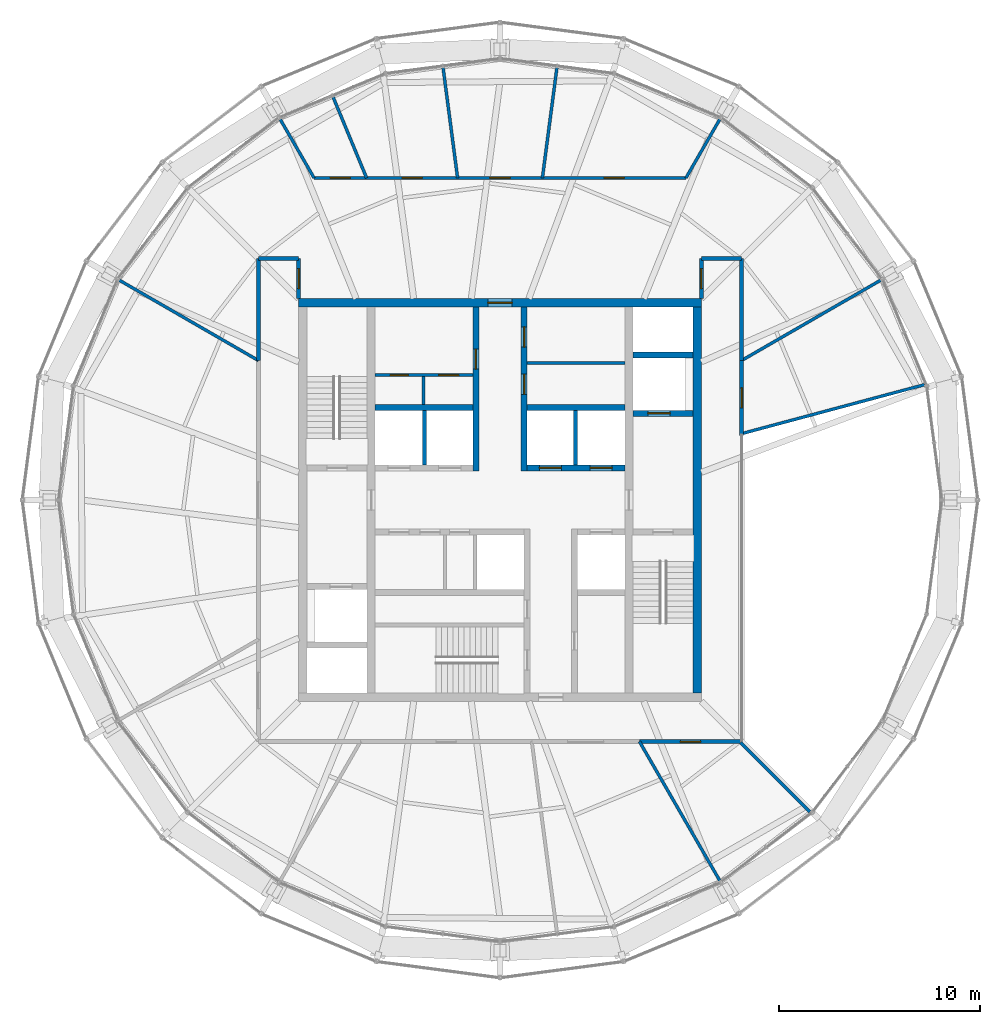
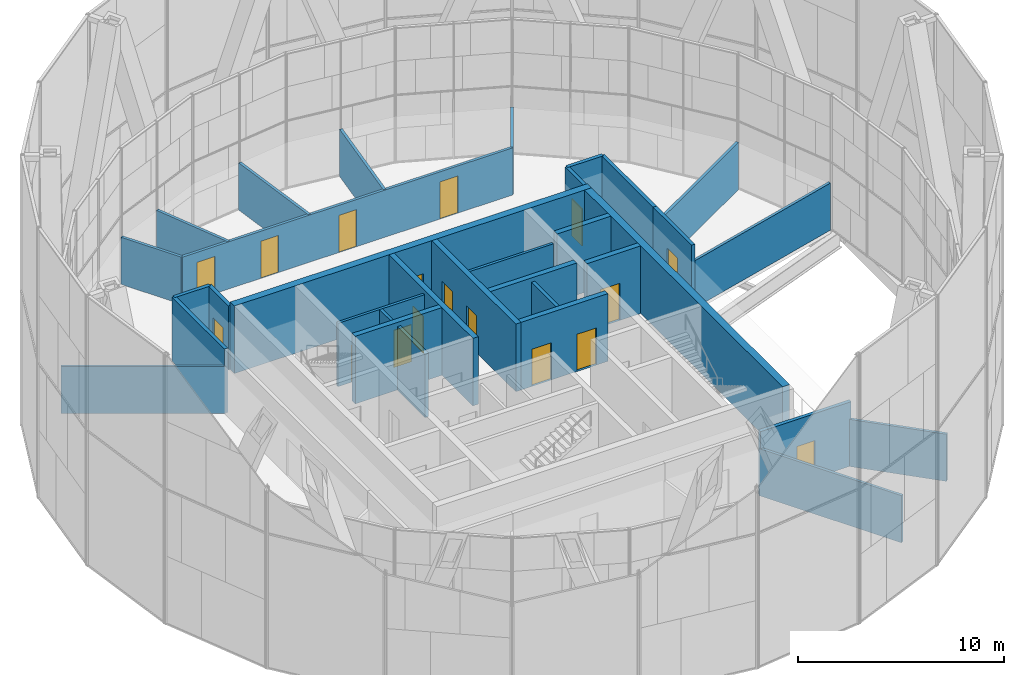
# One storey, part 20 of 22: 33 walls, 17 doors, 17 openings.
"""IFC4 building model written with IfcOpenShell, lengths in metres."""

from ifc_helpers import new_model, si_unit, direction, frame, frame_2d, origin, place, context, subcontext, project, spatial, rectangle, extrude, material, layer, layer_set, type_object, element, fill, save


model = new_model("IFC4")

# Units and contexts
model_context = context("Model", 3, precision=1e-05, world=origin(), true_north=direction((0.0, 1.0)))
body_context = subcontext(model_context, "Body", "Model", "MODEL_VIEW")
ifc_project = project(units=[si_unit("LENGTHUNIT", "METRE"), si_unit("AREAUNIT", "SQUARE_METRE"), si_unit("VOLUMEUNIT", "CUBIC_METRE"), si_unit("PLANEANGLEUNIT", "RADIAN"), si_unit("MASSUNIT", "GRAM", prefix="KILO")], contexts=[model_context])

# Site, building, storey
site_placement = place(None, origin())
site = spatial("IfcSite", under=ifc_project, at=site_placement, CompositionType="ELEMENT")
building_placement = place(site_placement, origin())
building = spatial("IfcBuilding", under=site, at=building_placement, Name="Golbaran Civic Tower", CompositionType="ELEMENT")
storey_placement = place(building_placement, frame((0.0, 0.0, 264.0)))
storey = spatial("IfcBuildingStorey", under=building, at=storey_placement, Name="L64", CompositionType="ELEMENT", Elevation=264.0)

# Wall
ifc_material_1 = material(Name="Concrete block", Category="concrete")
ifc_layer_1 = layer(ifc_material_1, 0.14990234375, Name="Concrete block")
ifc_layer_set_1 = layer_set([ifc_layer_1], Name="Concrete block")
wall_type_1 = type_object("IfcWallType", Name="BLOCKWORK PARTITION 150", PredefinedType="PARTITIONING", material=ifc_layer_set_1)
wall_1_placement = place(storey_placement, frame((1.35009765625, 6.800048828125, 0.0), z_axis=(0.0, 0.0, 1.0), x_axis=(1.0, 0.0, 0.0)))
element("IfcWall", 1, at=wall_1_placement, inside=storey, type_object=wall_type_1, Name="Toilet block partition TN1 L64", PredefinedType="PARTITIONING", context=body_context, shape_type="SweptSolid", body=[
    extrude(rectangle(XDim=4.849853515625, YDim=0.14990234375, at=frame_2d((2.4248046875, 0.0))), origin(), (0.0, 0.0, 1.0), 3.75),
])

# Wall, opening, door
ifc_material_2 = material(Name="Concrete C50/60", Category="concrete")
ifc_layer_2 = layer(ifc_material_2, 0.39990234375, Name="Concrete C50/60")
ifc_layer_set_2 = layer_set([ifc_layer_2], Name="Concrete C50/60")
wall_type_2 = type_object("IfcWallType", Name="CORE WALL CONCRETE 400", PredefinedType="SOLIDWALL", material=ifc_layer_set_2)
wall_2_placement = place(storey_placement, frame((-10.0, 9.800048828125, 0.0), z_axis=(0.0, 0.0, 1.0), x_axis=(1.0, 0.0, 0.0)))
wall_2 = element("IfcWall", 2, at=wall_2_placement, inside=storey, type_object=wall_type_2, Name="Core wall CN L64", PredefinedType="SOLIDWALL", context=body_context, shape_type="SweptSolid", body=[
    extrude(rectangle(XDim=20.0, YDim=0.39990234375, at=frame_2d((10.0, 0.0))), origin(), (0.0, 0.0, 1.0), 4.0),
])
opening_1_placement = place(wall_2_placement, frame((9.39990234375, 0.0, 0.0)))
opening_1 = element("IfcOpeningElement", 3, at=opening_1_placement, cuts=wall_2, Name="Opening L64.CN", PredefinedType="OPENING", context=body_context, shape_type="SweptSolid", body=[
    extrude(rectangle(XDim=1.199951171875, YDim=2.199951171875, at=frame_2d((0.60009765625, 1.10009765625))), frame((0.0, 0.2099609375, 0.0), z_axis=(0.0, -1.0, 0.0), x_axis=(1.0, 0.0, 0.0)), (0.0, 0.0, 1.0), 0.419921875),
])
ifc_material_3 = material(Name="Timber door set in steel frame", Category="steel")
door_type_1 = type_object("IfcDoorType", Name="CORE DOOR 1200x2200", OperationType="DOUBLE_DOOR_SINGLE_SWING", PredefinedType="DOOR", material=ifc_material_3)
door_1_placement = place(opening_1_placement, origin())
door_1 = element("IfcDoor", 4, at=door_1_placement, inside=storey, type_object=door_type_1, Name="Core door north", OperationType="DOUBLE_DOOR_SINGLE_SWING", OverallHeight=2.199951171875, OverallWidth=1.199951171875, PredefinedType="DOOR", context=body_context, shape_type="SweptSolid", body=[
    extrude(rectangle(XDim=1.199951171875, YDim=2.199951171875, at=frame_2d((0.60009765625, 1.10009765625))), frame((0.0, 0.02490234375, 0.0), z_axis=(0.0, -1.0, 0.0), x_axis=(1.0, 0.0, 0.0)), (0.0, 0.0, 1.0), 0.050048828125),
])
fill(opening_1, door_1)

# Wall
wall_3_placement = place(storey_placement, frame((9.800048828125, -9.60009765625, 0.0), z_axis=(0.0, 0.0, 1.0), x_axis=(0.0, 1.0, 0.0)))
element("IfcWall", 5, at=wall_3_placement, inside=storey, type_object=wall_type_2, Name="Core wall CE L64", PredefinedType="SOLIDWALL", context=body_context, shape_type="SweptSolid", body=[
    extrude(rectangle(XDim=19.2001953125, YDim=0.39990234375, at=frame_2d((9.60009765625, 0.0))), origin(), (0.0, 0.0, 1.0), 4.0),
])

# Wall, opening, door
ifc_material_4 = material(Name="Gypsum board on steel studs, fire-rated", Category="steel")
ifc_layer_3 = layer(ifc_material_4, 0.199951171875, Name="Gypsum board on steel studs, fire-rated")
ifc_layer_set_3 = layer_set([ifc_layer_3], Name="Gypsum board on steel studs, fire-rated")
wall_type_3 = type_object("IfcWallType", Name="CORRIDOR WALL 200", PredefinedType="PARTITIONING", material=ifc_layer_set_3)
wall_4_placement = place(storey_placement, frame((12.0, 3.21533203125, 0.0), z_axis=(0.0, 0.0, 1.0), x_axis=(0.0, 1.0, 0.0)))
wall_4 = element("IfcWall", 6, at=wall_4_placement, inside=storey, type_object=wall_type_3, Name="Corridor wall L64", PredefinedType="PARTITIONING", context=body_context, shape_type="SweptSolid", body=[
    extrude(rectangle(XDim=3.712890625, YDim=0.199951171875, at=frame_2d((1.8564453125, 0.0))), origin(), (0.0, 0.0, 1.0), 3.800048828125),
])
opening_2_placement = place(wall_4_placement, frame((1.3564453125, 0.0, 0.0)))
opening_2 = element("IfcOpeningElement", 7, at=opening_2_placement, cuts=wall_4, Name="Opening L64.05", PredefinedType="OPENING", context=body_context, shape_type="SweptSolid", body=[
    extrude(rectangle(XDim=1.0, YDim=2.199951171875, at=frame_2d((0.5, 1.10009765625))), frame((0.0, 0.10986328125, 0.0), z_axis=(0.0, -1.0, 0.0), x_axis=(1.0, 0.0, 0.0)), (0.0, 0.0, 1.0), 0.219970703125),
])
door_type_2 = type_object("IfcDoorType", Name="OFFICE DOOR 1000x2200", OperationType="SINGLE_SWING_LEFT", PredefinedType="DOOR", material=ifc_material_3)
door_2_placement = place(opening_2_placement, origin())
door_2 = element("IfcDoor", 8, at=door_2_placement, inside=storey, type_object=door_type_2, Name="Meeting Room door L64", OperationType="SINGLE_SWING_LEFT", OverallHeight=2.199951171875, OverallWidth=1.0, PredefinedType="DOOR", context=body_context, shape_type="SweptSolid", body=[
    extrude(rectangle(XDim=1.0, YDim=2.199951171875, at=frame_2d((0.5, 1.10009765625))), frame((0.0, 0.02490234375, 0.0), z_axis=(0.0, -1.0, 0.0), x_axis=(1.0, 0.0, 0.0)), (0.0, 0.0, 1.0), 0.050048828125),
])
fill(opening_2, door_2)

# Walls
wall_5_placement = place(storey_placement, frame((12.0, 6.92822265625, 0.0), z_axis=(0.0, 0.0, 1.0), x_axis=(0.0, 1.0, 0.0)))
element("IfcWall", 9, at=wall_5_placement, inside=storey, type_object=wall_type_3, Name="Corridor wall L64", PredefinedType="PARTITIONING", context=body_context, shape_type="SweptSolid", body=[
    extrude(rectangle(XDim=5.07177734375, YDim=0.199951171875, at=frame_2d((2.535888671875, 0.0))), origin(), (0.0, 0.0, 1.0), 3.800048828125),
])
for number, where, z_axis, x_axis, name in (
    (10, (12.0, 12.0, 0.0), (0.0, 0.0, 1.0), (-1.0, 0.0, 0.0), "Corridor wall L64"),
    (11, (-10.0, 12.0, 0.0), (0.0, 0.0, 1.0), (-1.0, 0.0, 0.0), "Corridor wall L64"),
):
    element("IfcWall", number, at=place(storey_placement, frame(where, z_axis=z_axis, x_axis=x_axis)), inside=storey, type_object=wall_type_3, Name=name, PredefinedType="PARTITIONING", context=body_context, shape_type="SweptSolid", body=[
        extrude(rectangle(XDim=2.0, YDim=0.199951171875, at=frame_2d((1.0, 0.0))), origin(), (0.0, 0.0, 1.0), 3.800048828125),
    ])
wall_6_placement = place(storey_placement, frame((-12.0, 12.0, 0.0), z_axis=(0.0, 0.0, 1.0), x_axis=(0.0, -1.0, 0.0)))
element("IfcWall", 12, at=wall_6_placement, inside=storey, type_object=wall_type_3, Name="Corridor wall L64", PredefinedType="PARTITIONING", context=body_context, shape_type="SweptSolid", body=[
    extrude(rectangle(XDim=5.07177734375, YDim=0.199951171875, at=frame_2d((2.535888671875, 0.0))), origin(), (0.0, 0.0, 1.0), 3.800048828125),
])

# Wall, opening, door
wall_7_placement = place(storey_placement, frame((6.92822265625, -12.0, 0.0), z_axis=(0.0, 0.0, 1.0), x_axis=(1.0, 0.0, 0.0)))
wall_7 = element("IfcWall", 13, at=wall_7_placement, inside=storey, type_object=wall_type_3, Name="Corridor wall L64", PredefinedType="PARTITIONING", context=body_context, shape_type="SweptSolid", body=[
    extrude(rectangle(XDim=5.07177734375, YDim=0.199951171875, at=frame_2d((2.535888671875, 0.0))), origin(), (0.0, 0.0, 1.0), 3.800048828125),
])
opening_3_placement = place(wall_7_placement, frame((2.035888671875, 0.0, 0.0)))
opening_3 = element("IfcOpeningElement", 14, at=opening_3_placement, cuts=wall_7, Name="Opening L64.10", PredefinedType="OPENING", context=body_context, shape_type="SweptSolid", body=[
    extrude(rectangle(XDim=1.0, YDim=2.199951171875, at=frame_2d((0.5, 1.10009765625))), frame((0.0, 0.10986328125, 0.0), z_axis=(0.0, -1.0, 0.0), x_axis=(1.0, 0.0, 0.0)), (0.0, 0.0, 1.0), 0.219970703125),
])
door_3_placement = place(opening_3_placement, origin())
door_3 = element("IfcDoor", 15, at=door_3_placement, inside=storey, type_object=door_type_2, Name="Quiet Room door L64", OperationType="SINGLE_SWING_LEFT", OverallHeight=2.199951171875, OverallWidth=1.0, PredefinedType="DOOR", context=body_context, shape_type="SweptSolid", body=[
    extrude(rectangle(XDim=1.0, YDim=2.199951171875, at=frame_2d((0.5, 1.10009765625))), frame((0.0, 0.02490234375, 0.0), z_axis=(0.0, -1.0, 0.0), x_axis=(1.0, 0.0, 0.0)), (0.0, 0.0, 1.0), 0.050048828125),
])
fill(opening_3, door_3)

wall_8_placement = place(storey_placement, frame((-10.0, 10.0, 0.0), z_axis=(0.0, 0.0, 1.0), x_axis=(0.0, 1.0, 0.0)))
wall_8 = element("IfcWall", 16, at=wall_8_placement, inside=storey, type_object=wall_type_3, Name="Corridor end wall L64", PredefinedType="PARTITIONING", context=body_context, shape_type="SweptSolid", body=[
    extrude(rectangle(XDim=2.0, YDim=0.199951171875, at=frame_2d((1.0, 0.0))), origin(), (0.0, 0.0, 1.0), 3.800048828125),
])
opening_4_placement = place(wall_8_placement, frame((0.5, 0.0, 0.0)))
opening_4 = element("IfcOpeningElement", 17, at=opening_4_placement, cuts=wall_8, Name="Opening L64.13", PredefinedType="OPENING", context=body_context, shape_type="SweptSolid", body=[
    extrude(rectangle(XDim=1.0, YDim=2.199951171875, at=frame_2d((0.5, 1.10009765625))), frame((0.0, 0.10986328125, 0.0), z_axis=(0.0, -1.0, 0.0), x_axis=(1.0, 0.0, 0.0)), (0.0, 0.0, 1.0), 0.219970703125),
])
door_4_placement = place(opening_4_placement, origin())
door_4 = element("IfcDoor", 18, at=door_4_placement, inside=storey, type_object=door_type_2, Name="Open Office door L64", OperationType="SINGLE_SWING_LEFT", OverallHeight=2.199951171875, OverallWidth=1.0, PredefinedType="DOOR", context=body_context, shape_type="SweptSolid", body=[
    extrude(rectangle(XDim=1.0, YDim=2.199951171875, at=frame_2d((0.5, 1.10009765625))), frame((0.0, 0.02490234375, 0.0), z_axis=(0.0, -1.0, 0.0), x_axis=(1.0, 0.0, 0.0)), (0.0, 0.0, 1.0), 0.050048828125),
])
fill(opening_4, door_4)

wall_9_placement = place(storey_placement, frame((10.0, 10.0, 0.0), z_axis=(0.0, 0.0, 1.0), x_axis=(0.0, 1.0, 0.0)))
wall_9 = element("IfcWall", 19, at=wall_9_placement, inside=storey, type_object=wall_type_3, Name="Corridor end wall L64", PredefinedType="PARTITIONING", context=body_context, shape_type="SweptSolid", body=[
    extrude(rectangle(XDim=2.0, YDim=0.199951171875, at=frame_2d((1.0, 0.0))), origin(), (0.0, 0.0, 1.0), 3.800048828125),
])
opening_5_placement = place(wall_9_placement, frame((0.5, 0.0, 0.0)))
opening_5 = element("IfcOpeningElement", 20, at=opening_5_placement, cuts=wall_9, Name="Opening L64.14", PredefinedType="OPENING", context=body_context, shape_type="SweptSolid", body=[
    extrude(rectangle(XDim=1.0, YDim=2.199951171875, at=frame_2d((0.5, 1.10009765625))), frame((0.0, 0.10986328125, 0.0), z_axis=(0.0, -1.0, 0.0), x_axis=(1.0, 0.0, 0.0)), (0.0, 0.0, 1.0), 0.219970703125),
])
door_5_placement = place(opening_5_placement, origin())
door_5 = element("IfcDoor", 21, at=door_5_placement, inside=storey, type_object=door_type_2, Name="Open Office door L64", OperationType="SINGLE_SWING_LEFT", OverallHeight=2.199951171875, OverallWidth=1.0, PredefinedType="DOOR", context=body_context, shape_type="SweptSolid", body=[
    extrude(rectangle(XDim=1.0, YDim=2.199951171875, at=frame_2d((0.5, 1.10009765625))), frame((0.0, 0.02490234375, 0.0), z_axis=(0.0, -1.0, 0.0), x_axis=(1.0, 0.0, 0.0)), (0.0, 0.0, 1.0), 0.050048828125),
])
fill(opening_5, door_5)

# Walls
ifc_layer_4 = layer(ifc_material_1, 0.199951171875, Name="Concrete block")
ifc_layer_set_4 = layer_set([ifc_layer_4], Name="Concrete block")
wall_type_4 = type_object("IfcWallType", Name="LIFT SEPARATOR WALL 200", PredefinedType="SOLIDWALL", material=ifc_layer_set_4)
for number, where, z_axis, x_axis, name in (
    (22, (-3.75, 1.75, 0.0), (0.0, 0.0, 1.0), (0.0, 1.0, 0.0), "Core partition SNW L64"),
    (23, (3.75, 1.75, 0.0), (0.0, 0.0, 1.0), (0.0, 1.0, 0.0), "Core partition SNE L64"),
):
    element("IfcWall", number, at=place(storey_placement, frame(where, z_axis=z_axis, x_axis=x_axis)), inside=storey, type_object=wall_type_4, Name=name, PredefinedType="SOLIDWALL", context=body_context, shape_type="SweptSolid", body=[
        extrude(rectangle(XDim=2.699951171875, YDim=0.199951171875, at=frame_2d((1.35009765625, 0.0))), origin(), (0.0, 0.0, 1.0), 3.75),
    ])
ifc_material_5 = material(Name="Gypsum board on steel studs", Category="steel")
ifc_layer_5 = layer(ifc_material_5, 0.14990234375, Name="Gypsum board on steel studs")
ifc_layer_set_5 = layer_set([ifc_layer_5], Name="Gypsum board on steel studs")
wall_type_5 = type_object("IfcWallType", Name="OFFICE PARTITION 150", PredefinedType="PARTITIONING", material=ifc_layer_set_5)
wall_10_placement = place(storey_placement, frame((11.947021484375, -12.052978515625, 0.0), z_axis=(0.0, 0.0, 1.0), x_axis=(0.707106781187, -0.707106781187, 0.0)))
element("IfcWall", 24, at=wall_10_placement, inside=storey, type_object=wall_type_5, Name="Partition 315 L64", PredefinedType="PARTITIONING", context=body_context, shape_type="SweptSolid", body=[
    extrude(rectangle(XDim=4.877685546875, YDim=0.14990234375, at=frame_2d((2.43896484375, 0.0))), origin(), (0.0, 0.0, 1.0), 2.7900390625),
])
wall_11_placement = place(storey_placement, frame((11.98046875, 3.287841796875, 0.0), z_axis=(0.0, 0.0, 1.0), x_axis=(0.96592469552, 0.258823265155, 0.0)))
element("IfcWall", 25, at=wall_11_placement, inside=storey, type_object=wall_type_5, Name="Partition 15 L64", PredefinedType="PARTITIONING", context=body_context, shape_type="SweptSolid", body=[
    extrude(rectangle(XDim=9.425048828125, YDim=0.14990234375, at=frame_2d((4.71240234375, 0.0))), origin(), (0.0, 0.0, 1.0), 2.7900390625),
])
for number, where, z_axis, x_axis, name in (
    (26, (12.0, 6.92822265625, 0.0), (0.0, 0.0, 1.0), (0.86602940896, 0.499993062769, 0.0), "Partition 30 L64"),
    (27, (-12.0, 6.92822265625, 0.0), (0.0, 0.0, 1.0), (-0.86602940896, 0.499993062769, 0.0), "Partition 150 L64"),
    (28, (6.92822265625, -12.0, 0.0), (0.0, 0.0, 1.0), (0.499993062769, -0.86602940896, 0.0), "Partition 300 L64"),
):
    element("IfcWall", number, at=place(storey_placement, frame(where, z_axis=z_axis, x_axis=x_axis)), inside=storey, type_object=wall_type_5, Name=name, PredefinedType="PARTITIONING", context=body_context, shape_type="SweptSolid", body=[
        extrude(rectangle(XDim=7.99169921875, YDim=0.14990234375, at=frame_2d((3.995849609375, 0.0))), origin(), (0.0, 0.0, 1.0), 2.7900390625),
    ])

# Wall, openings, doors
wall_12_placement = place(storey_placement, frame((9.237548828125, 16.0, 0.0), z_axis=(0.0, 0.0, 1.0), x_axis=(-1.0, 0.0, 0.0)))
wall_12 = element("IfcWall", 29, at=wall_12_placement, inside=storey, type_object=wall_type_5, Name="Suite partition L64", PredefinedType="PARTITIONING", context=body_context, shape_type="SweptSolid", body=[
    extrude(rectangle(XDim=18.47509765625, YDim=0.14990234375, at=frame_2d((9.237548828125, 0.0))), origin(), (0.0, 0.0, 1.0), 2.7900390625),
])
opening_6_placement = place(wall_12_placement, frame((3.065673828125, 0.0, 0.0)))
opening_6 = element("IfcOpeningElement", 30, at=opening_6_placement, cuts=wall_12, Name="Opening L64.01", PredefinedType="OPENING", context=body_context, shape_type="SweptSolid", body=[
    extrude(rectangle(XDim=1.0, YDim=2.199951171875, at=frame_2d((0.5, 1.10009765625))), frame((0.0, 0.0849609375, 0.0), z_axis=(0.0, -1.0, 0.0), x_axis=(1.0, 0.0, 0.0)), (0.0, 0.0, 1.0), 0.169921875),
])
opening_7_placement = place(wall_12_placement, frame((8.737548828125, 0.0, 0.0)))
opening_7 = element("IfcOpeningElement", 31, at=opening_7_placement, cuts=wall_12, Name="Opening L64.02", PredefinedType="OPENING", context=body_context, shape_type="SweptSolid", body=[
    extrude(rectangle(XDim=1.0, YDim=2.199951171875, at=frame_2d((0.5, 1.10009765625))), frame((0.0, 0.0849609375, 0.0), z_axis=(0.0, -1.0, 0.0), x_axis=(1.0, 0.0, 0.0)), (0.0, 0.0, 1.0), 0.169921875),
])
opening_8_placement = place(wall_12_placement, frame((13.1044921875, 0.0, 0.0)))
opening_8 = element("IfcOpeningElement", 32, at=opening_8_placement, cuts=wall_12, Name="Opening L64.03", PredefinedType="OPENING", context=body_context, shape_type="SweptSolid", body=[
    extrude(rectangle(XDim=1.0, YDim=2.199951171875, at=frame_2d((0.5, 1.10009765625))), frame((0.0, 0.0849609375, 0.0), z_axis=(0.0, -1.0, 0.0), x_axis=(1.0, 0.0, 0.0)), (0.0, 0.0, 1.0), 0.169921875),
])
opening_9_placement = place(wall_12_placement, frame((16.670166015625, 0.0, 0.0)))
opening_9 = element("IfcOpeningElement", 33, at=opening_9_placement, cuts=wall_12, Name="Opening L64.04", PredefinedType="OPENING", context=body_context, shape_type="SweptSolid", body=[
    extrude(rectangle(XDim=1.0, YDim=2.199951171875, at=frame_2d((0.5, 1.10009765625))), frame((0.0, 0.0849609375, 0.0), z_axis=(0.0, -1.0, 0.0), x_axis=(1.0, 0.0, 0.0)), (0.0, 0.0, 1.0), 0.169921875),
])
door_6_placement = place(opening_6_placement, origin())
door_6 = element("IfcDoor", 34, at=door_6_placement, inside=storey, type_object=door_type_2, Name="Office door L64", OperationType="SINGLE_SWING_LEFT", OverallHeight=2.199951171875, OverallWidth=1.0, PredefinedType="DOOR", context=body_context, shape_type="SweptSolid", body=[
    extrude(rectangle(XDim=1.0, YDim=2.199951171875, at=frame_2d((0.5, 1.10009765625))), frame((0.0, 0.02490234375, 0.0), z_axis=(0.0, -1.0, 0.0), x_axis=(1.0, 0.0, 0.0)), (0.0, 0.0, 1.0), 0.050048828125),
])
fill(opening_6, door_6)
door_7_placement = place(opening_7_placement, origin())
door_7 = element("IfcDoor", 35, at=door_7_placement, inside=storey, type_object=door_type_2, Name="Assistants' Office door L64", OperationType="SINGLE_SWING_RIGHT", OverallHeight=2.199951171875, OverallWidth=1.0, PredefinedType="DOOR", context=body_context, shape_type="SweptSolid", body=[
    extrude(rectangle(XDim=1.0, YDim=2.199951171875, at=frame_2d((0.5, 1.10009765625))), frame((0.0, 0.02490234375, 0.0), z_axis=(0.0, -1.0, 0.0), x_axis=(1.0, 0.0, 0.0)), (0.0, 0.0, 1.0), 0.050048828125),
])
fill(opening_7, door_7)
door_8_placement = place(opening_8_placement, origin())
door_8 = element("IfcDoor", 36, at=door_8_placement, inside=storey, type_object=door_type_2, Name="Office door L64", OperationType="SINGLE_SWING_RIGHT", OverallHeight=2.199951171875, OverallWidth=1.0, PredefinedType="DOOR", context=body_context, shape_type="SweptSolid", body=[
    extrude(rectangle(XDim=1.0, YDim=2.199951171875, at=frame_2d((0.5, 1.10009765625))), frame((0.0, 0.02490234375, 0.0), z_axis=(0.0, -1.0, 0.0), x_axis=(1.0, 0.0, 0.0)), (0.0, 0.0, 1.0), 0.050048828125),
])
fill(opening_8, door_8)
door_9_placement = place(opening_9_placement, origin())
door_9 = element("IfcDoor", 37, at=door_9_placement, inside=storey, type_object=door_type_2, Name="Assistants' Office door L64", OperationType="SINGLE_SWING_RIGHT", OverallHeight=2.199951171875, OverallWidth=1.0, PredefinedType="DOOR", context=body_context, shape_type="SweptSolid", body=[
    extrude(rectangle(XDim=1.0, YDim=2.199951171875, at=frame_2d((0.5, 1.10009765625))), frame((0.0, 0.02490234375, 0.0), z_axis=(0.0, -1.0, 0.0), x_axis=(1.0, 0.0, 0.0)), (0.0, 0.0, 1.0), 0.050048828125),
])
fill(opening_9, door_9)

# Walls
for number, where, z_axis, x_axis, name in (
    (38, (9.237548828125, 16.0, 0.0), (0.0, 0.0, 1.0), (0.500000218722, 0.866025277505, 0.0), "Suite side partition L64"),
    (39, (-9.237548828125, 16.0, 0.0), (0.0, 0.0, 1.0), (-0.500000218722, 0.866025277505, 0.0), "Suite side partition L64"),
):
    element("IfcWall", number, at=place(storey_placement, frame(where, z_axis=z_axis, x_axis=x_axis)), inside=storey, type_object=wall_type_5, Name=name, PredefinedType="PARTITIONING", context=body_context, shape_type="SweptSolid", body=[
        extrude(rectangle(XDim=3.373046875, YDim=0.14990234375, at=frame_2d((1.6865234375, 0.0))), origin(), (0.0, 0.0, 1.0), 2.7900390625),
    ])
for number, where, z_axis, x_axis, name in (
    (40, (2.1064453125, 16.0, 0.0), (0.0, 0.0, 1.0), (0.130527690291, 0.991444664148, 0.0), "Partition 82.5 L64"),
    (41, (-2.1064453125, 16.0, 0.0), (0.0, 0.0, 1.0), (-0.130527690291, 0.991444664148, 0.0), "Partition 97.5 L64"),
):
    element("IfcWall", number, at=place(storey_placement, frame(where, z_axis=z_axis, x_axis=x_axis)), inside=storey, type_object=wall_type_5, Name=name, PredefinedType="PARTITIONING", context=body_context, shape_type="SweptSolid", body=[
        extrude(rectangle(XDim=5.5234375, YDim=0.14990234375, at=frame_2d((2.76171875, 0.0))), origin(), (0.0, 0.0, 1.0), 2.7900390625),
    ])
wall_13_placement = place(storey_placement, frame((-6.62744140625, 16.0, 0.0), z_axis=(0.0, 0.0, 1.0), x_axis=(-0.382654647655, 0.923891455003, 0.0)))
element("IfcWall", 42, at=wall_13_placement, inside=storey, type_object=wall_type_5, Name="Partition 112.5 L64", PredefinedType="PARTITIONING", context=body_context, shape_type="SweptSolid", body=[
    extrude(rectangle(XDim=4.343017578125, YDim=0.14990234375, at=frame_2d((2.17138671875, 0.0))), origin(), (0.0, 0.0, 1.0), 2.7900390625),
])

# Wall, openings, doors
ifc_layer_6 = layer(ifc_material_2, 0.300048828125, Name="Concrete C50/60")
ifc_layer_set_6 = layer_set([ifc_layer_6], Name="Concrete C50/60")
wall_type_6 = type_object("IfcWallType", Name="SHAFT WALL CONCRETE 300", PredefinedType="SOLIDWALL", material=ifc_layer_set_6)
wall_14_placement = place(storey_placement, frame((1.35009765625, 1.60009765625, 0.0), z_axis=(0.0, 0.0, 1.0), x_axis=(1.0, 0.0, 0.0)))
wall_14 = element("IfcWall", 43, at=wall_14_placement, inside=storey, type_object=wall_type_6, Name="Core wall FNE L64", PredefinedType="SOLIDWALL", context=body_context, shape_type="SweptSolid", body=[
    extrude(rectangle(XDim=4.849853515625, YDim=0.300048828125, at=frame_2d((2.4248046875, 0.0))), origin(), (0.0, 0.0, 1.0), 4.0),
])
opening_10_placement = place(wall_14_placement, frame((0.60009765625, 0.0, 0.0)))
opening_10 = element("IfcOpeningElement", 44, at=opening_10_placement, cuts=wall_14, Name="Opening L64.LD-Z3T", PredefinedType="OPENING", context=body_context, shape_type="SweptSolid", body=[
    extrude(rectangle(XDim=1.10009765625, YDim=2.199951171875, at=frame_2d((0.550048828125, 1.10009765625))), frame((0.0, 0.159912109375, 0.0), z_axis=(0.0, -1.0, 0.0), x_axis=(1.0, 0.0, 0.0)), (0.0, 0.0, 1.0), 0.320068359375),
])
opening_11_placement = place(wall_14_placement, frame((3.125, 0.0, 0.0)))
opening_11 = element("IfcOpeningElement", 45, at=opening_11_placement, cuts=wall_14, Name="Opening L64.LD-Z4T", PredefinedType="OPENING", context=body_context, shape_type="SweptSolid", body=[
    extrude(rectangle(XDim=1.10009765625, YDim=2.199951171875, at=frame_2d((0.550048828125, 1.10009765625))), frame((0.0, 0.159912109375, 0.0), z_axis=(0.0, -1.0, 0.0), x_axis=(1.0, 0.0, 0.0)), (0.0, 0.0, 1.0), 0.320068359375),
])
ifc_material_6 = material(Name="Stainless steel", Category="steel")
door_type_3 = type_object("IfcDoorType", Name="LIFT LANDING DOOR 1100x2200", OperationType="SLIDING_TO_LEFT", PredefinedType="DOOR", material=ifc_material_6)
door_10_placement = place(opening_10_placement, origin())
door_10 = element("IfcDoor", 46, at=door_10_placement, inside=storey, type_object=door_type_3, Name="Lift landing door Z3T", OperationType="SLIDING_TO_LEFT", OverallHeight=2.199951171875, OverallWidth=1.10009765625, PredefinedType="DOOR", context=body_context, shape_type="SweptSolid", body=[
    extrude(rectangle(XDim=1.10009765625, YDim=2.199951171875, at=frame_2d((0.550048828125, 1.10009765625))), frame((0.0, 0.02490234375, 0.0), z_axis=(0.0, -1.0, 0.0), x_axis=(1.0, 0.0, 0.0)), (0.0, 0.0, 1.0), 0.050048828125),
])
fill(opening_10, door_10)
door_11_placement = place(opening_11_placement, origin())
door_11 = element("IfcDoor", 47, at=door_11_placement, inside=storey, type_object=door_type_3, Name="Lift landing door Z4T", OperationType="SLIDING_TO_LEFT", OverallHeight=2.199951171875, OverallWidth=1.10009765625, PredefinedType="DOOR", context=body_context, shape_type="SweptSolid", body=[
    extrude(rectangle(XDim=1.10009765625, YDim=2.199951171875, at=frame_2d((0.550048828125, 1.10009765625))), frame((0.0, 0.02490234375, 0.0), z_axis=(0.0, -1.0, 0.0), x_axis=(1.0, 0.0, 0.0)), (0.0, 0.0, 1.0), 0.050048828125),
])
fill(opening_11, door_11)

# Walls
for number, where, z_axis, x_axis, name in (
    (48, (-6.199951171875, 4.60009765625, 0.0), (0.0, 0.0, 1.0), (1.0, 0.0, 0.0), "Core wall BNW L64"),
    (49, (1.35009765625, 4.60009765625, 0.0), (0.0, 0.0, 1.0), (1.0, 0.0, 0.0), "Core wall BNE L64"),
):
    element("IfcWall", number, at=place(storey_placement, frame(where, z_axis=z_axis, x_axis=x_axis)), inside=storey, type_object=wall_type_6, Name=name, PredefinedType="SOLIDWALL", context=body_context, shape_type="SweptSolid", body=[
        extrude(rectangle(XDim=4.849853515625, YDim=0.300048828125, at=frame_2d((2.4248046875, 0.0))), origin(), (0.0, 0.0, 1.0), 4.0),
    ])

# Wall, opening, door
wall_15_placement = place(storey_placement, frame((-1.199951171875, 1.449951171875, 0.0), z_axis=(0.0, 0.0, 1.0), x_axis=(0.0, 1.0, 0.0)))
wall_15 = element("IfcWall", 50, at=wall_15_placement, inside=storey, type_object=wall_type_6, Name="Core wall PNW L64", PredefinedType="SOLIDWALL", context=body_context, shape_type="SweptSolid", body=[
    extrude(rectangle(XDim=8.150146484375, YDim=0.300048828125, at=frame_2d((4.0751953125, 0.0))), origin(), (0.0, 0.0, 1.0), 4.0),
])
opening_12_placement = place(wall_15_placement, frame((5.050048828125, 0.0, 0.0)))
opening_12 = element("IfcOpeningElement", 51, at=opening_12_placement, cuts=wall_15, Name="Opening L64.WCM", PredefinedType="OPENING", context=body_context, shape_type="SweptSolid", body=[
    extrude(rectangle(XDim=1.0, YDim=2.199951171875, at=frame_2d((0.5, 1.10009765625))), frame((0.0, 0.159912109375, 0.0), z_axis=(0.0, -1.0, 0.0), x_axis=(1.0, 0.0, 0.0)), (0.0, 0.0, 1.0), 0.320068359375),
])
door_type_4 = type_object("IfcDoorType", Name="TOILET DOOR 1000x2200", OperationType="SINGLE_SWING_LEFT", PredefinedType="DOOR", material=ifc_material_3)
door_12_placement = place(opening_12_placement, origin())
door_12 = element("IfcDoor", 52, at=door_12_placement, inside=storey, type_object=door_type_4, Name="North-west toilet block door", OperationType="SINGLE_SWING_RIGHT", OverallHeight=2.199951171875, OverallWidth=1.0, PredefinedType="DOOR", context=body_context, shape_type="SweptSolid", body=[
    extrude(rectangle(XDim=1.0, YDim=2.199951171875, at=frame_2d((0.5, 1.10009765625))), frame((0.0, 0.02490234375, 0.0), z_axis=(0.0, -1.0, 0.0), x_axis=(1.0, 0.0, 0.0)), (0.0, 0.0, 1.0), 0.050048828125),
])
fill(opening_12, door_12)

# Wall, openings, doors
wall_16_placement = place(storey_placement, frame((1.199951171875, 1.449951171875, 0.0), z_axis=(0.0, 0.0, 1.0), x_axis=(0.0, 1.0, 0.0)))
wall_16 = element("IfcWall", 53, at=wall_16_placement, inside=storey, type_object=wall_type_6, Name="Core wall PNE L64", PredefinedType="SOLIDWALL", context=body_context, shape_type="SweptSolid", body=[
    extrude(rectangle(XDim=8.150146484375, YDim=0.300048828125, at=frame_2d((4.0751953125, 0.0))), origin(), (0.0, 0.0, 1.0), 4.0),
])
opening_13_placement = place(wall_16_placement, frame((3.800048828125, 0.0, 0.0)))
opening_13 = element("IfcOpeningElement", 54, at=opening_13_placement, cuts=wall_16, Name="Opening L64.WCA", PredefinedType="OPENING", context=body_context, shape_type="SweptSolid", body=[
    extrude(rectangle(XDim=1.0, YDim=2.199951171875, at=frame_2d((0.5, 1.10009765625))), frame((0.0, 0.159912109375, 0.0), z_axis=(0.0, -1.0, 0.0), x_axis=(1.0, 0.0, 0.0)), (0.0, 0.0, 1.0), 0.320068359375),
])
opening_14_placement = place(wall_16_placement, frame((6.14990234375, 0.0, 0.0)))
opening_14 = element("IfcOpeningElement", 55, at=opening_14_placement, cuts=wall_16, Name="Opening L64.WCF", PredefinedType="OPENING", context=body_context, shape_type="SweptSolid", body=[
    extrude(rectangle(XDim=1.0, YDim=2.199951171875, at=frame_2d((0.5, 1.10009765625))), frame((0.0, 0.159912109375, 0.0), z_axis=(0.0, -1.0, 0.0), x_axis=(1.0, 0.0, 0.0)), (0.0, 0.0, 1.0), 0.320068359375),
])
door_13_placement = place(opening_13_placement, origin())
door_13 = element("IfcDoor", 56, at=door_13_placement, inside=storey, type_object=door_type_4, Name="Accessible WC door", OperationType="SINGLE_SWING_RIGHT", OverallHeight=2.199951171875, OverallWidth=1.0, PredefinedType="DOOR", context=body_context, shape_type="SweptSolid", body=[
    extrude(rectangle(XDim=1.0, YDim=2.199951171875, at=frame_2d((0.5, 1.10009765625))), frame((0.0, 0.02490234375, 0.0), z_axis=(0.0, -1.0, 0.0), x_axis=(1.0, 0.0, 0.0)), (0.0, 0.0, 1.0), 0.050048828125),
])
fill(opening_13, door_13)
door_14_placement = place(opening_14_placement, origin())
door_14 = element("IfcDoor", 57, at=door_14_placement, inside=storey, type_object=door_type_4, Name="North-east toilet block door", OperationType="SINGLE_SWING_RIGHT", OverallHeight=2.199951171875, OverallWidth=1.0, PredefinedType="DOOR", context=body_context, shape_type="SweptSolid", body=[
    extrude(rectangle(XDim=1.0, YDim=2.199951171875, at=frame_2d((0.5, 1.10009765625))), frame((0.0, 0.02490234375, 0.0), z_axis=(0.0, -1.0, 0.0), x_axis=(1.0, 0.0, 0.0)), (0.0, 0.0, 1.0), 0.050048828125),
])
fill(opening_14, door_14)

# Wall, opening, door
wall_17_placement = place(storey_placement, frame((6.60009765625, 4.300048828125, 0.0), z_axis=(0.0, 0.0, 1.0), x_axis=(1.0, 0.0, 0.0)))
wall_17 = element("IfcWall", 58, at=wall_17_placement, inside=storey, type_object=wall_type_6, Name="Core wall XE2 L64", PredefinedType="SOLIDWALL", context=body_context, shape_type="SweptSolid", body=[
    extrude(rectangle(XDim=3.0, YDim=0.300048828125, at=frame_2d((1.5, 0.0))), origin(), (0.0, 0.0, 1.0), 4.0),
])
opening_15_placement = place(wall_17_placement, frame((0.75, 0.0, 0.0)))
opening_15 = element("IfcOpeningElement", 59, at=opening_15_placement, cuts=wall_17, Name="Opening L64.LD-F2", PredefinedType="OPENING", context=body_context, shape_type="SweptSolid", body=[
    extrude(rectangle(XDim=1.10009765625, YDim=2.199951171875, at=frame_2d((0.550048828125, 1.10009765625))), frame((0.0, 0.159912109375, 0.0), z_axis=(0.0, -1.0, 0.0), x_axis=(1.0, 0.0, 0.0)), (0.0, 0.0, 1.0), 0.320068359375),
])
door_15_placement = place(opening_15_placement, origin())
door_15 = element("IfcDoor", 60, at=door_15_placement, inside=storey, type_object=door_type_3, Name="Lift landing door F2", OperationType="SLIDING_TO_LEFT", OverallHeight=2.199951171875, OverallWidth=1.10009765625, PredefinedType="DOOR", context=body_context, shape_type="SweptSolid", body=[
    extrude(rectangle(XDim=1.10009765625, YDim=2.199951171875, at=frame_2d((0.550048828125, 1.10009765625))), frame((0.0, 0.02490234375, 0.0), z_axis=(0.0, -1.0, 0.0), x_axis=(1.0, 0.0, 0.0)), (0.0, 0.0, 1.0), 0.050048828125),
])
fill(opening_15, door_15)

# Wall
wall_18_placement = place(storey_placement, frame((6.60009765625, 7.199951171875, 0.0), z_axis=(0.0, 0.0, 1.0), x_axis=(1.0, 0.0, 0.0)))
element("IfcWall", 61, at=wall_18_placement, inside=storey, type_object=wall_type_6, Name="Core wall XE3 L64", PredefinedType="SOLIDWALL", context=body_context, shape_type="SweptSolid", body=[
    extrude(rectangle(XDim=3.0, YDim=0.300048828125, at=frame_2d((1.5, 0.0))), origin(), (0.0, 0.0, 1.0), 4.0),
])

# Wall, openings, doors
ifc_material_7 = material(Name="Moisture-resistant gypsum board on steel studs", Category="steel")
ifc_layer_7 = layer(ifc_material_7, 0.14990234375, Name="Moisture-resistant gypsum board on steel studs")
ifc_layer_set_7 = layer_set([ifc_layer_7], Name="Moisture-resistant gypsum board on steel studs")
wall_type_7 = type_object("IfcWallType", Name="TOILET BLOCK PARTITION 150", PredefinedType="PARTITIONING", material=ifc_layer_set_7)
wall_19_placement = place(storey_placement, frame((-6.199951171875, 6.199951171875, 0.0), z_axis=(0.0, 0.0, 1.0), x_axis=(1.0, 0.0, 0.0)))
wall_19 = element("IfcWall", 62, at=wall_19_placement, inside=storey, type_object=wall_type_7, Name="Toilet block partition MSH L64", PredefinedType="PARTITIONING", context=body_context, shape_type="SweptSolid", body=[
    extrude(rectangle(XDim=4.849853515625, YDim=0.14990234375, at=frame_2d((2.4248046875, 0.0))), origin(), (0.0, 0.0, 1.0), 3.75),
])
opening_16_placement = place(wall_19_placement, frame((3.14990234375, 0.0, 0.0)))
opening_16 = element("IfcOpeningElement", 63, at=opening_16_placement, cuts=wall_19, Name="Opening L64.11", PredefinedType="OPENING", context=body_context, shape_type="SweptSolid", body=[
    extrude(rectangle(XDim=1.0, YDim=2.199951171875, at=frame_2d((0.5, 1.10009765625))), frame((0.0, 0.0849609375, 0.0), z_axis=(0.0, -1.0, 0.0), x_axis=(1.0, 0.0, 0.0)), (0.0, 0.0, 1.0), 0.169921875),
])
opening_17_placement = place(wall_19_placement, frame((0.75, 0.0, 0.0)))
opening_17 = element("IfcOpeningElement", 64, at=opening_17_placement, cuts=wall_19, Name="Opening L64.12", PredefinedType="OPENING", context=body_context, shape_type="SweptSolid", body=[
    extrude(rectangle(XDim=0.89990234375, YDim=2.199951171875, at=frame_2d((0.449951171875, 1.10009765625))), frame((0.0, 0.0849609375, 0.0), z_axis=(0.0, -1.0, 0.0), x_axis=(1.0, 0.0, 0.0)), (0.0, 0.0, 1.0), 0.169921875),
])
door_type_5 = type_object("IfcDoorType", Name="RISER DOOR 900x2200", OperationType="SINGLE_SWING_LEFT", PredefinedType="DOOR", material=ifc_material_3)
door_16_placement = place(opening_17_placement, origin())
door_16 = element("IfcDoor", 65, at=door_16_placement, inside=storey, type_object=door_type_5, Name="Cleaner's store door", OperationType="SINGLE_SWING_LEFT", OverallHeight=2.199951171875, OverallWidth=0.89990234375, PredefinedType="DOOR", context=body_context, shape_type="SweptSolid", body=[
    extrude(rectangle(XDim=0.89990234375, YDim=2.199951171875, at=frame_2d((0.449951171875, 1.10009765625))), frame((0.0, 0.02490234375, 0.0), z_axis=(0.0, -1.0, 0.0), x_axis=(1.0, 0.0, 0.0)), (0.0, 0.0, 1.0), 0.050048828125),
])
fill(opening_17, door_16)
door_17_placement = place(opening_16_placement, origin())
door_17 = element("IfcDoor", 66, at=door_17_placement, inside=storey, type_object=door_type_4, Name="Male shower room door", OperationType="SINGLE_SWING_RIGHT", OverallHeight=2.199951171875, OverallWidth=1.0, PredefinedType="DOOR", context=body_context, shape_type="SweptSolid", body=[
    extrude(rectangle(XDim=1.0, YDim=2.199951171875, at=frame_2d((0.5, 1.10009765625))), frame((0.0, 0.02490234375, 0.0), z_axis=(0.0, -1.0, 0.0), x_axis=(1.0, 0.0, 0.0)), (0.0, 0.0, 1.0), 0.050048828125),
])
fill(opening_16, door_17)

# Wall
wall_20_placement = place(storey_placement, frame((-3.800048828125, 4.75, 0.0), z_axis=(0.0, 0.0, 1.0), x_axis=(0.0, 1.0, 0.0)))
element("IfcWall", 67, at=wall_20_placement, inside=storey, type_object=wall_type_7, Name="Toilet block partition MST L64", PredefinedType="PARTITIONING", context=body_context, shape_type="SweptSolid", body=[
    extrude(rectangle(XDim=1.375, YDim=0.14990234375, at=frame_2d((0.6875, 0.0))), origin(), (0.0, 0.0, 1.0), 3.75),
])

save(model, "model.ifc")
